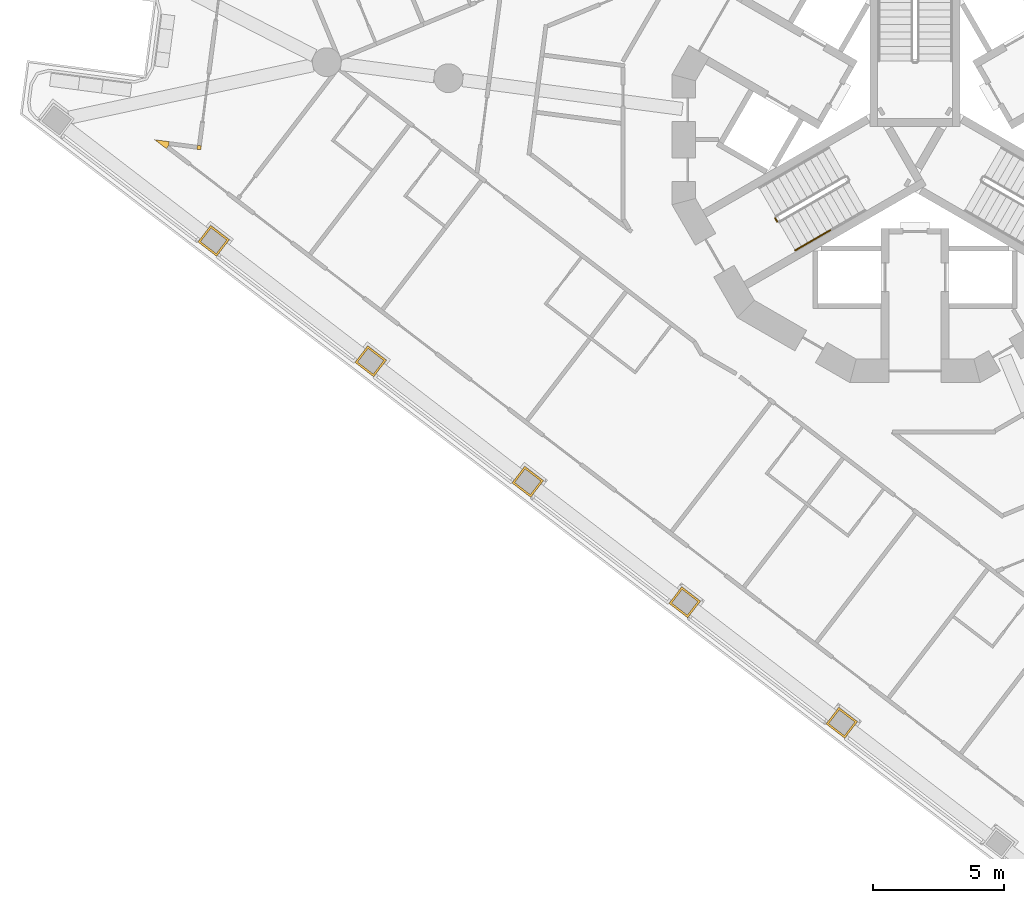
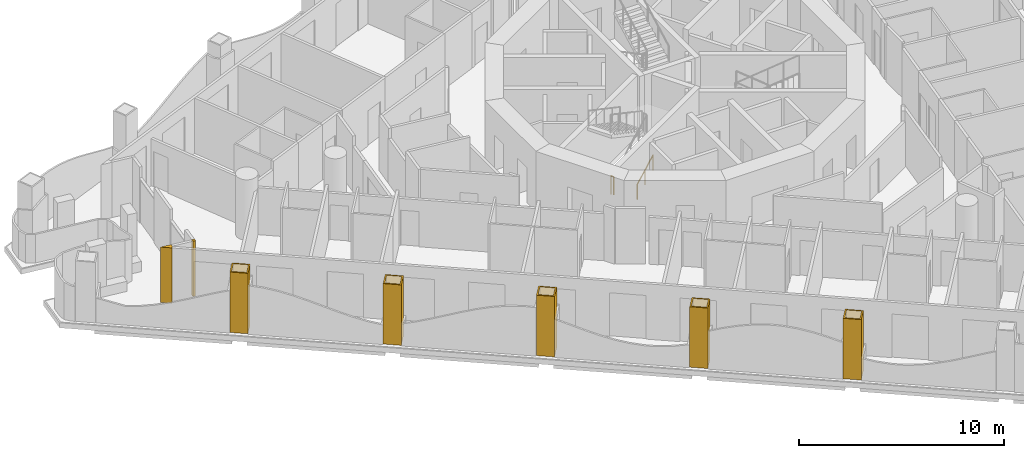
# One storey, part 11 of 17: 7 coverings, 2 railings.
"""IFC4 building model written with IfcOpenShell, lengths in metres."""

from ifc_helpers import new_model, si_unit, direction, frame, origin, origin_2d, place, context, subcontext, project, spatial, polyline, circle, outline, extrude, material, layer, layer_set, type_object, element, save


model = new_model("IFC4")

# Units and contexts
model_context = context("Model", 3, precision=1e-05, world=origin(), true_north=direction((0.0, 1.0)))
body_context = subcontext(model_context, "Body", "Model", "MODEL_VIEW")
ifc_project = project(units=[si_unit("LENGTHUNIT", "METRE"), si_unit("AREAUNIT", "SQUARE_METRE"), si_unit("VOLUMEUNIT", "CUBIC_METRE"), si_unit("PLANEANGLEUNIT", "RADIAN"), si_unit("MASSUNIT", "GRAM", prefix="KILO")], contexts=[model_context])

# Site, building, storey
site_placement = place(None, origin())
site = spatial("IfcSite", under=ifc_project, at=site_placement, CompositionType="ELEMENT")
building_placement = place(site_placement, origin())
building = spatial("IfcBuilding", under=site, at=building_placement, Name="Trine Commons Tower", CompositionType="ELEMENT")
storey_placement = place(building_placement, frame((0.0, 0.0, 127.800048828125)))
storey = spatial("IfcBuildingStorey", under=building, at=storey_placement, Name="L32", CompositionType="ELEMENT", Elevation=127.800048828125)

# Coverings
ifc_material_1 = material(Name="Aluminium-framed insulated wall panel", Category="aluminium")
ifc_layer_1 = layer(ifc_material_1, 0.14990234375)
ifc_layer_set_1 = layer_set([ifc_layer_1], Name="Aluminium-framed insulated wall panel")
covering_type_1 = type_object("IfcCoveringType", Name="Glazing corner post, aluminium", PredefinedType="CLADDING", material=ifc_layer_set_1)
covering_1_placement = place(storey_placement, origin())
element("IfcCovering", 1, at=covering_1_placement, inside=storey, type_object=covering_type_1, Name="Glazing corner post 4-01", PredefinedType="CLADDING", context=body_context, shape_type="SweptSolid", body=[
    extrude(outline(polyline([(51.43359375, 62.15576171875), (51.52490234375, 62.27490234375), (51.54443359375, 62.423583984375), (50.989501953125, 62.49658203125), (51.43359375, 62.15576171875)])), origin(), (0.0, 0.0, 1.0), 3.300048828125),
])
covering_2_placement = place(storey_placement, origin())
element("IfcCovering", 2, at=covering_2_placement, inside=storey, type_object=covering_type_1, Name="Glazing corner post 4-02", PredefinedType="CLADDING", context=body_context, shape_type="SweptSolid", body=[
    extrude(outline(polyline([(52.601318359375, 62.133056640625), (52.75, 62.113525390625), (52.76953125, 62.26220703125), (52.620849609375, 62.28173828125), (52.601318359375, 62.133056640625)])), origin(), (0.0, 0.0, 1.0), 3.300048828125),
])
ifc_material_2 = material(Name="Limestone, honed", Category="masonry")
ifc_layer_2 = layer(ifc_material_2, 0.074951171875)
ifc_layer_set_2 = layer_set([ifc_layer_2], Name="Limestone, honed")
covering_type_2 = type_object("IfcCoveringType", Name="Limestone column cladding 75", PredefinedType="CLADDING", material=ifc_layer_set_2)
covering_3_placement = place(storey_placement, origin())
element("IfcCovering", 3, at=covering_3_placement, inside=storey, type_object=covering_type_2, Name="Limestone pier cladding 4-03", PredefinedType="CLADDING", context=body_context, shape_type="SweptSolid", body=[
    extrude(outline(polyline([(77.092041015625, 40.84130859375), (76.60498046875, 40.206787109375), (77.319091796875, 39.65869140625), (77.805908203125, 40.29345703125), (77.092041015625, 40.84130859375)]), holes=[polyline([(77.105712890625, 40.736083984375), (76.710205078125, 40.220458984375), (77.30517578125, 39.763916015625), (77.700927734375, 40.27978515625), (77.105712890625, 40.736083984375)])]), origin(), (0.0, 0.0, 1.0), 3.599853515625),
])
covering_4_placement = place(storey_placement, origin())
element("IfcCovering", 4, at=covering_4_placement, inside=storey, type_object=covering_type_2, Name="Limestone pier cladding 4-04", PredefinedType="CLADDING", context=body_context, shape_type="SweptSolid", body=[
    extrude(outline(polyline([(71.1005859375, 45.438720703125), (70.61376953125, 44.803955078125), (71.32763671875, 44.256103515625), (71.814697265625, 44.890869140625), (71.1005859375, 45.438720703125)]), holes=[polyline([(71.114501953125, 45.33349609375), (70.71875, 44.81787109375), (71.31396484375, 44.361328125), (71.709716796875, 44.876953125), (71.114501953125, 45.33349609375)])]), origin(), (0.0, 0.0, 1.0), 3.599853515625),
])
covering_5_placement = place(storey_placement, origin())
element("IfcCovering", 5, at=covering_5_placement, inside=storey, type_object=covering_type_2, Name="Limestone pier cladding 4-05", PredefinedType="CLADDING", context=body_context, shape_type="SweptSolid", body=[
    extrude(outline(polyline([(65.109375, 50.035888671875), (64.622314453125, 49.4013671875), (65.336181640625, 48.853515625), (65.8232421875, 49.488037109375), (65.109375, 50.035888671875)]), holes=[polyline([(65.123046875, 49.930908203125), (64.727294921875, 49.4150390625), (65.322509765625, 48.95849609375), (65.71826171875, 49.474365234375), (65.123046875, 49.930908203125)])]), origin(), (0.0, 0.0, 1.0), 3.599853515625),
])
covering_6_placement = place(storey_placement, origin())
element("IfcCovering", 6, at=covering_6_placement, inside=storey, type_object=covering_type_2, Name="Limestone pier cladding 4-06", PredefinedType="CLADDING", context=body_context, shape_type="SweptSolid", body=[
    extrude(outline(polyline([(59.117919921875, 54.63330078125), (58.631103515625, 53.998779296875), (59.344970703125, 53.45068359375), (59.83203125, 54.08544921875), (59.117919921875, 54.63330078125)]), holes=[polyline([(59.1318359375, 54.5283203125), (58.736083984375, 54.012451171875), (59.331298828125, 53.555908203125), (59.726806640625, 54.07177734375), (59.1318359375, 54.5283203125)])]), origin(), (0.0, 0.0, 1.0), 3.599853515625),
])
covering_7_placement = place(storey_placement, origin())
element("IfcCovering", 7, at=covering_7_placement, inside=storey, type_object=covering_type_2, Name="Limestone pier cladding 4-07", PredefinedType="CLADDING", context=body_context, shape_type="SweptSolid", body=[
    extrude(outline(polyline([(53.126708984375, 59.230712890625), (52.6396484375, 58.595947265625), (53.353515625, 58.048095703125), (53.840576171875, 58.682861328125), (53.126708984375, 59.230712890625)]), holes=[polyline([(53.140380859375, 59.12548828125), (52.74462890625, 58.60986328125), (53.33984375, 58.1533203125), (53.735595703125, 58.6689453125), (53.140380859375, 59.12548828125)])]), origin(), (0.0, 0.0, 1.0), 3.599853515625),
])

# Railings
ifc_material_3 = material(Name="Stainless steel balustrade", Category="steel")
railing_type_1 = type_object("IfcRailingType", Name="Stair guard, steel balustrade 1100", PredefinedType="GUARDRAIL", material=ifc_material_3)
railing_1_placement = place(storey_placement, frame((74.73681640625, 59.374755859375, 0.0)))
element("IfcRailing", 8, at=railing_1_placement, inside=storey, type_object=railing_type_1, Name="L32 ST2B stair guard 4", PredefinedType="GUARDRAIL", context=body_context, shape_type="SweptSolid", body=[
    extrude(circle(Radius=0.02392578125, at=origin_2d()), frame((0.0, 0.0, 1.076171875), z_axis=(-0.499816412211, 0.866131372301, 0.0), x_axis=(-0.866131372301, -0.499816412211, 0.0)), (0.0, 0.0, 1.0), 0.14990234375),
    extrude(circle(Radius=0.02099609375, at=origin_2d()), origin(), (0.0, 0.0, 1.0), 1.052001953125),
    extrude(circle(Radius=0.02099609375, at=origin_2d()), frame((-0.074951171875, 0.1298828125, 0.0)), (0.0, 0.0, 1.0), 1.052001953125),
])
ifc_material_4 = material(Name="Stainless steel handrail", Category="steel")
railing_type_2 = type_object("IfcRailingType", Name="Stair handrail, steel 900", PredefinedType="HANDRAIL", material=ifc_material_4)
railing_2_placement = place(storey_placement, frame((75.43017578125, 58.27392578125, 0.14990234375)))
element("IfcRailing", 9, at=railing_2_placement, inside=storey, type_object=railing_type_2, Name="L32 ST2B stair handrail 1", PredefinedType="HANDRAIL", context=body_context, shape_type="SweptSolid", body=[
    extrude(circle(Radius=0.02099609375, at=origin_2d()), frame((0.0, 0.0, 0.87890625), z_axis=(0.76340495495, 0.440743040072, 0.472184759798), x_axis=(-0.499992328818, 0.866029832698, 0.0)), (0.0, 0.0, 1.0), 1.7470703125),
    extrude(circle(Radius=0.01513671875, at=origin_2d()), origin(), (0.0, 0.0, 1.0), 0.85791015625),
    extrude(circle(Radius=0.01513671875, at=origin_2d()), frame((0.6669921875, 0.385009765625, 0.41259765625)), (0.0, 0.0, 1.0), 0.85791015625),
    extrude(circle(Radius=0.01513671875, at=origin_2d()), frame((1.333740234375, 0.77001953125, 0.824951171875)), (0.0, 0.0, 1.0), 0.85791015625),
])

save(model, "model.ifc")
